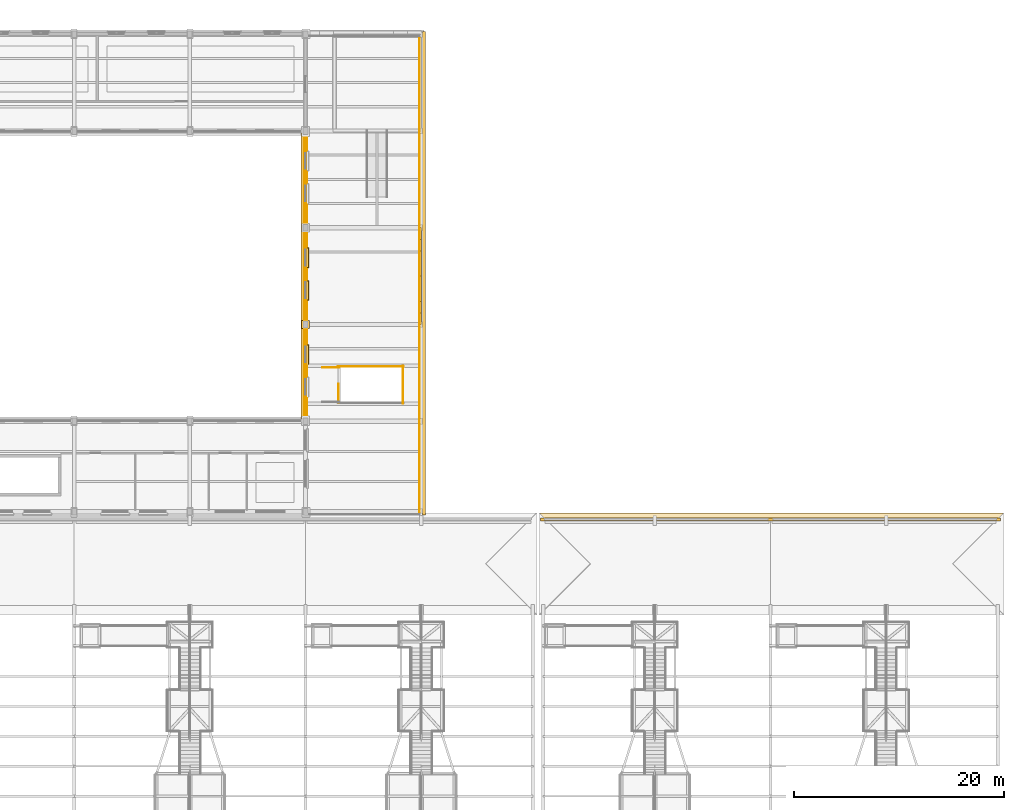
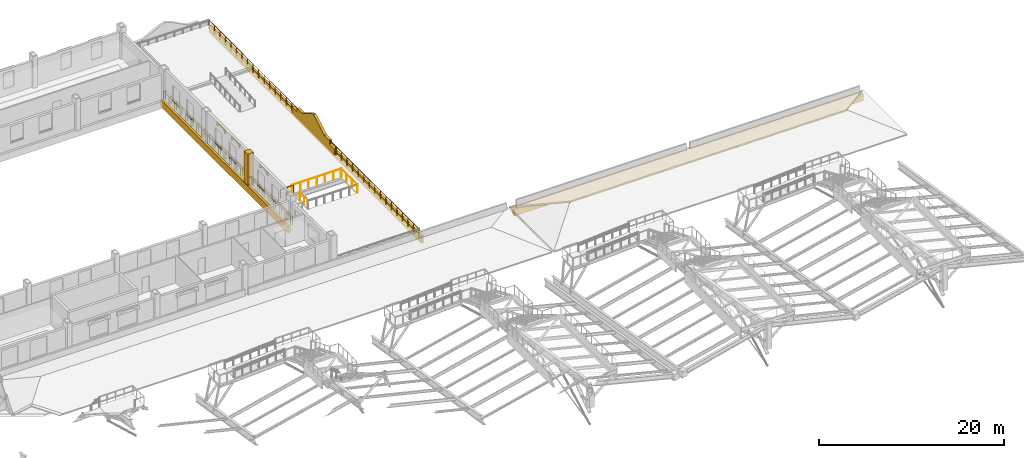
# One storey, part 40 of 43: 9 coverings, 7 railings.
"""IFC4 building model written with IfcOpenShell, lengths in metres."""

from ifc_helpers import new_model, si_unit, direction, frame, frame_2d, origin, origin_2d, place, context, subcontext, project, spatial, polyline, rectangle, circle, outline, extrude, material, layer, layer_set, type_object, element, save


model = new_model("IFC4")

# Units and contexts
model_context = context("Model", 3, precision=1e-05, world=origin(), true_north=direction((0.0, 1.0)))
body_context = subcontext(model_context, "Body", "Model", "MODEL_VIEW")
ifc_project = project(units=[si_unit("LENGTHUNIT", "METRE"), si_unit("AREAUNIT", "SQUARE_METRE"), si_unit("VOLUMEUNIT", "CUBIC_METRE"), si_unit("PLANEANGLEUNIT", "RADIAN"), si_unit("MASSUNIT", "GRAM", prefix="KILO")], contexts=[model_context])

# Site, building, storey
site_placement = place(None, origin())
site = spatial("IfcSite", under=ifc_project, at=site_placement, CompositionType="ELEMENT")
building_placement = place(site_placement, origin())
building = spatial("IfcBuilding", under=site, at=building_placement, Name="Caurita Quay Ferry Terminal", CompositionType="ELEMENT")
storey_placement = place(building_placement, frame((0.0, 0.0, 14.10009765625)))
storey = spatial("IfcBuildingStorey", under=building, at=storey_placement, Name="L03", CompositionType="ELEMENT", Elevation=14.10009765625)

# Coverings
ifc_material_1 = material(Name="Coral stone ashlar cladding", Category="masonry")
ifc_layer_1 = layer(ifc_material_1, 0.239990234375, Name="Classical coral-stone entablature and cornice moulding 240 mm")
ifc_layer_set_1 = layer_set([ifc_layer_1], Name="Coral stone ashlar cladding")
covering_type_1 = type_object("IfcCoveringType", Name="COV-ENT-MLD", PredefinedType="MOLDING", material=ifc_layer_set_1)
covering_1_placement = place(storey_placement, frame((77.260009765625, 71.300048828125, -0.85009765625), z_axis=(0.0, 0.0, 1.0), x_axis=(0.0, 1.0, 0.0)))
element("IfcCovering", 1, at=covering_1_placement, inside=storey, type_object=covering_type_1, Name="L03 Classical Entablature Cornice 013", PredefinedType="MOLDING", context=body_context, shape_type="SweptSolid", body=[
    extrude(rectangle(XDim=45.97998046875, YDim=0.280029296875, at=frame_2d((22.989990234375, 0.0))), origin(), (0.0, 0.0, 1.0), 0.929931640625),
])
covering_2_placement = place(storey_placement, frame((65.719970703125, 107.800048828125, -0.85009765625), z_axis=(0.0, 0.0, 1.0), x_axis=(0.0, -1.0, 0.0)))
element("IfcCovering", 2, at=covering_2_placement, inside=storey, type_object=covering_type_1, Name="L03 Classical Entablature Cornice 030", PredefinedType="MOLDING", context=body_context, shape_type="SweptSolid", body=[
    extrude(rectangle(XDim=27.60009765625, YDim=0.280029296875, at=frame_2d((13.800048828125, 0.0))), origin(), (0.0, 0.0, 1.0), 0.929931640625),
])
covering_3_placement = place(storey_placement, frame((132.050048828125, 70.860107421875, -0.85009765625), z_axis=(0.0, 0.0, 1.0), x_axis=(-1.0, 0.0, 0.0)))
element("IfcCovering", 3, at=covering_3_placement, inside=storey, type_object=covering_type_1, Name="L03 Classical Entablature Cornice 047", PredefinedType="MOLDING", context=body_context, shape_type="SweptSolid", body=[
    extrude(rectangle(XDim=43.699951171875, YDim=0.280029296875, at=frame_2d((21.85009765625, 0.0))), origin(), (0.0, 0.0, 1.0), 0.909912109375),
])
ifc_material_2 = material(Name="Warm-white lime stucco masonry", Category="masonry")
ifc_layer_2 = layer(ifc_material_2, 0.280029296875, Name="Shaped Spanish Colonial espadana mission parapet gable 280 mm")
ifc_layer_set_2 = layer_set([ifc_layer_2], Name="Warm-white lime stucco masonry")
covering_type_2 = type_object("IfcCoveringType", Name="COV-ESP-MLD", PredefinedType="MOLDING", material=ifc_layer_set_2)
covering_4_placement = place(storey_placement, frame((76.85009765625, 89.39990234375, -0.050048828125), z_axis=(0.0, 0.0, 1.0), x_axis=(0.0, 1.0, 0.0)))
element("IfcCovering", 4, at=covering_4_placement, inside=storey, type_object=covering_type_2, Name="Harbour Master East Espadana Gable 075", PredefinedType="MOLDING", context=body_context, shape_type="SweptSolid", body=[
    extrude(outline(polyline([(0.0, 0.0), (9.2001953125, 0.0), (9.2001953125, 0.849853515625), (8.09619140625, 0.849853515625), (8.09619140625, 1.329833984375), (6.9921875, 1.329833984375), (6.256103515625, 1.769775390625), (5.52001953125, 2.229736328125), (4.968017578125, 2.52978515625), (4.60009765625, 2.6298828125), (4.232177734375, 2.52978515625), (3.68017578125, 2.229736328125), (2.944091796875, 1.769775390625), (2.2080078125, 1.329833984375), (1.10400390625, 1.329833984375), (1.10400390625, 0.849853515625), (0.0, 0.849853515625), (0.0, 0.0)])), frame((0.0, 0.16015625, 0.0), z_axis=(0.0, -1.0, 0.0), x_axis=(1.0, 0.0, 0.0)), (0.0, 0.0, 1.0), 0.320068359375),
])
ifc_layer_3 = layer(ifc_material_2, 0.179931640625, Name="Classical engaged lime-stucco facade pilaster cladding 180 mm")
ifc_layer_set_3 = layer_set([ifc_layer_3], Name="Warm-white lime stucco masonry")
covering_type_3 = type_object("IfcCoveringType", Name="COV-PIL-CLD", PredefinedType="CLADDING", material=ifc_layer_set_3)
covering_5_placement = place(storey_placement, frame((66.0, 89.39990234375, 0.0), z_axis=(0.0, 0.0, 1.0), x_axis=(1.0, 0.0, 0.0)))
element("IfcCovering", 5, at=covering_5_placement, inside=storey, type_object=covering_type_3, Name="L03 Classical Engaged Pilaster 0375", PredefinedType="CLADDING", context=body_context, shape_type="SweptSolid", body=[
    extrude(rectangle(XDim=0.72998046875, YDim=0.77001953125, at=origin_2d()), origin(), (0.0, 0.0, 1.0), 4.199951171875),
])
ifc_material_3 = material(Name="Terracotta clay barrel tile", Category="masonry")
ifc_layer_4 = layer(ifc_material_3, 0.06494140625, Name="Terracotta clay barrel-tile roofing course")
ifc_layer_set_4 = layer_set([ifc_layer_4], Name="Terracotta clay barrel tile")
covering_type_4 = type_object("IfcCoveringType", Name="COV-TEJA-ROOF", PredefinedType="ROOFING", material=ifc_layer_set_4)
covering_6_placement = place(storey_placement, frame((132.39990234375, 71.5, -0.14013671875), z_axis=(0.0, 0.377954065566, 0.925824348525), x_axis=(-1.0, 0.0, 0.0)))
element("IfcCovering", 6, at=covering_6_placement, inside=storey, type_object=covering_type_4, Name="Terracotta Roof Timber Decking V2-SPN-N", PredefinedType="ROOFING", context=body_context, shape_type="SweptSolid", body=[
    extrude(outline(polyline([(0.0, 0.0), (44.199951171875, 0.0), (39.349853515625, 5.2386801707866475), (4.849853515625, 5.2386801707866475), (0.0, 0.0)])), origin(), (0.0, 0.0, -1.0), 0.054931640625),
])
ifc_layer_5 = layer(ifc_material_1, 0.139892578125, Name="Spanish Colonial semicircular arched window surround 140 mm")
ifc_layer_set_5 = layer_set([ifc_layer_5], Name="Coral stone ashlar cladding")
covering_type_5 = type_object("IfcCoveringType", Name="COV-WHD-MLD", PredefinedType="MOLDING", material=ifc_layer_set_5)
covering_7_placement = place(storey_placement, frame((66.215087890625, 85.6201171875, 3.179931640625), z_axis=(0.0, 0.0, 1.0), x_axis=(0.0, 1.0, 0.0)))
element("IfcCovering", 7, at=covering_7_placement, inside=storey, type_object=covering_type_5, Name="L03 Arched Window Surround 118", PredefinedType="MOLDING", context=body_context, shape_type="SweptSolid", body=[
    extrude(outline(polyline([(0.0, 0.0), (0.159912109375, 0.0), (0.159912109375, 0.0400390625), (0.19775390625, 0.1513671875), (0.30712890625, 0.251708984375), (0.477294921875, 0.331298828125), (0.69189453125, 0.38232421875), (0.929931640625, 0.39990234375), (1.16796875, 0.38232421875), (1.382568359375, 0.331298828125), (1.552734375, 0.251708984375), (1.662109375, 0.1513671875), (1.699951171875, 0.0400390625), (1.699951171875, 0.0), (1.85986328125, 0.0), (1.85986328125, 0.47998046875), (0.0, 0.47998046875), (0.0, 0.0)])), frame((0.0, 0.06982421875, 0.0), z_axis=(0.0, -1.0, 0.0), x_axis=(1.0, 0.0, 0.0)), (0.0, 0.0, 1.0), 0.139892578125),
])
covering_8_placement = place(storey_placement, frame((66.215087890625, 91.719970703125, 3.179931640625), z_axis=(0.0, 0.0, 1.0), x_axis=(0.0, 1.0, 0.0)))
element("IfcCovering", 8, at=covering_8_placement, inside=storey, type_object=covering_type_5, Name="L03 Arched Window Surround 119", PredefinedType="MOLDING", context=body_context, shape_type="SweptSolid", body=[
    extrude(outline(polyline([(0.0, 0.0), (0.159912109375, 0.0), (0.159912109375, 0.0400390625), (0.19775390625, 0.1513671875), (0.30712890625, 0.251708984375), (0.4775390625, 0.331298828125), (0.692138671875, 0.38232421875), (0.929931640625, 0.39990234375), (1.16796875, 0.38232421875), (1.382568359375, 0.331298828125), (1.552978515625, 0.251708984375), (1.662353515625, 0.1513671875), (1.7001953125, 0.0400390625), (1.7001953125, 0.0), (1.860107421875, 0.0), (1.860107421875, 0.47998046875), (0.0, 0.47998046875), (0.0, 0.0)])), frame((0.0, 0.06982421875, 0.0), z_axis=(0.0, -1.0, 0.0), x_axis=(1.0, 0.0, 0.0)), (0.0, 0.0, 1.0), 0.139892578125),
])
covering_9_placement = place(storey_placement, frame((66.215087890625, 94.820068359375, 3.179931640625), z_axis=(0.0, 0.0, 1.0), x_axis=(0.0, 1.0, 0.0)))
element("IfcCovering", 9, at=covering_9_placement, inside=storey, type_object=covering_type_5, Name="L03 Arched Window Surround 120", PredefinedType="MOLDING", context=body_context, shape_type="SweptSolid", body=[
    extrude(outline(polyline([(0.0, 0.0), (0.159912109375, 0.0), (0.159912109375, 0.0400390625), (0.19775390625, 0.1513671875), (0.30712890625, 0.251708984375), (0.477294921875, 0.331298828125), (0.69189453125, 0.38232421875), (0.929931640625, 0.39990234375), (1.16796875, 0.38232421875), (1.382568359375, 0.331298828125), (1.552734375, 0.251708984375), (1.662109375, 0.1513671875), (1.699951171875, 0.0400390625), (1.699951171875, 0.0), (1.85986328125, 0.0), (1.85986328125, 0.47998046875), (0.0, 0.47998046875), (0.0, 0.0)])), frame((0.0, 0.06982421875, 0.0), z_axis=(0.0, -1.0, 0.0), x_axis=(1.0, 0.0, 0.0)), (0.0, 0.0, 1.0), 0.139892578125),
])

# Railings
ifc_material_4 = material(Name="Bronze architectural metalwork", Category="metal")
railing_type = type_object("IfcRailingType", Name="RL-REJA-115", PredefinedType="BALUSTRADE", material=ifc_material_4)
railing_1_placement = place(storey_placement, frame((76.85009765625, 71.35009765625, 0.0)))
element("IfcRailing", 10, at=railing_1_placement, inside=storey, type_object=railing_type, Name="L03 Harbour Master Terrace Balustrade (069)", PredefinedType="BALUSTRADE", context=body_context, shape_type="SweptSolid", body=[
    extrude(circle(Radius=0.02392578125, at=origin_2d()), frame((0.0, 0.0, 1.1259765625), z_axis=(0.0, 1.0, 0.0), x_axis=(-1.0, 0.0, 0.0)), (0.0, 0.0, 1.0), 45.5),
    extrude(circle(Radius=0.02099609375, at=origin_2d()), origin(), (0.0, 0.0, 1.0), 1.101806640625),
    extrude(circle(Radius=0.02099609375, at=origin_2d()), frame((0.0, 1.197265625, 0.0)), (0.0, 0.0, 1.0), 1.101806640625),
    extrude(circle(Radius=0.02099609375, at=origin_2d()), frame((0.0, 2.394775390625, 0.0)), (0.0, 0.0, 1.0), 1.101806640625),
    extrude(circle(Radius=0.02099609375, at=origin_2d()), frame((0.0, 3.592041015625, 0.0)), (0.0, 0.0, 1.0), 1.101806640625),
    extrude(circle(Radius=0.02099609375, at=origin_2d()), frame((0.0, 4.78955078125, 0.0)), (0.0, 0.0, 1.0), 1.101806640625),
    extrude(circle(Radius=0.02099609375, at=origin_2d()), frame((0.0, 5.98681640625, 0.0)), (0.0, 0.0, 1.0), 1.101806640625),
    extrude(circle(Radius=0.02099609375, at=origin_2d()), frame((0.0, 7.184326171875, 0.0)), (0.0, 0.0, 1.0), 1.101806640625),
    extrude(circle(Radius=0.02099609375, at=origin_2d()), frame((0.0, 8.381591796875, 0.0)), (0.0, 0.0, 1.0), 1.101806640625),
    extrude(circle(Radius=0.02099609375, at=origin_2d()), frame((0.0, 9.578857421875, 0.0)), (0.0, 0.0, 1.0), 1.101806640625),
    extrude(circle(Radius=0.02099609375, at=origin_2d()), frame((0.0, 10.7763671875, 0.0)), (0.0, 0.0, 1.0), 1.101806640625),
    extrude(circle(Radius=0.02099609375, at=origin_2d()), frame((0.0, 11.9736328125, 0.0)), (0.0, 0.0, 1.0), 1.101806640625),
    extrude(circle(Radius=0.02099609375, at=origin_2d()), frame((0.0, 13.171142578125, 0.0)), (0.0, 0.0, 1.0), 1.101806640625),
    extrude(circle(Radius=0.02099609375, at=origin_2d()), frame((0.0, 14.368408203125, 0.0)), (0.0, 0.0, 1.0), 1.101806640625),
    extrude(circle(Radius=0.02099609375, at=origin_2d()), frame((0.0, 15.565673828125, 0.0)), (0.0, 0.0, 1.0), 1.101806640625),
    extrude(circle(Radius=0.02099609375, at=origin_2d()), frame((0.0, 16.76318359375, 0.0)), (0.0, 0.0, 1.0), 1.101806640625),
    extrude(circle(Radius=0.02099609375, at=origin_2d()), frame((0.0, 17.96044921875, 0.0)), (0.0, 0.0, 1.0), 1.101806640625),
    extrude(circle(Radius=0.02099609375, at=origin_2d()), frame((0.0, 19.157958984375, 0.0)), (0.0, 0.0, 1.0), 1.101806640625),
    extrude(circle(Radius=0.02099609375, at=origin_2d()), frame((0.0, 20.355224609375, 0.0)), (0.0, 0.0, 1.0), 1.101806640625),
    extrude(circle(Radius=0.02099609375, at=origin_2d()), frame((0.0, 21.552734375, 0.0)), (0.0, 0.0, 1.0), 1.101806640625),
    extrude(circle(Radius=0.02099609375, at=origin_2d()), frame((0.0, 22.75, 0.0)), (0.0, 0.0, 1.0), 1.101806640625),
    extrude(circle(Radius=0.02099609375, at=origin_2d()), frame((0.0, 23.947265625, 0.0)), (0.0, 0.0, 1.0), 1.101806640625),
    extrude(circle(Radius=0.02099609375, at=origin_2d()), frame((0.0, 25.144775390625, 0.0)), (0.0, 0.0, 1.0), 1.101806640625),
    extrude(circle(Radius=0.02099609375, at=origin_2d()), frame((0.0, 26.342041015625, 0.0)), (0.0, 0.0, 1.0), 1.101806640625),
    extrude(circle(Radius=0.02099609375, at=origin_2d()), frame((0.0, 27.53955078125, 0.0)), (0.0, 0.0, 1.0), 1.101806640625),
    extrude(circle(Radius=0.02099609375, at=origin_2d()), frame((0.0, 28.73681640625, 0.0)), (0.0, 0.0, 1.0), 1.101806640625),
    extrude(circle(Radius=0.02099609375, at=origin_2d()), frame((0.0, 29.934326171875, 0.0)), (0.0, 0.0, 1.0), 1.101806640625),
    extrude(circle(Radius=0.02099609375, at=origin_2d()), frame((0.0, 31.131591796875, 0.0)), (0.0, 0.0, 1.0), 1.101806640625),
    extrude(circle(Radius=0.02099609375, at=origin_2d()), frame((0.0, 32.328857421875, 0.0)), (0.0, 0.0, 1.0), 1.101806640625),
    extrude(circle(Radius=0.02099609375, at=origin_2d()), frame((0.0, 33.5263671875, 0.0)), (0.0, 0.0, 1.0), 1.101806640625),
    extrude(circle(Radius=0.02099609375, at=origin_2d()), frame((0.0, 34.7236328125, 0.0)), (0.0, 0.0, 1.0), 1.101806640625),
    extrude(circle(Radius=0.02099609375, at=origin_2d()), frame((0.0, 35.921142578125, 0.0)), (0.0, 0.0, 1.0), 1.101806640625),
    extrude(circle(Radius=0.02099609375, at=origin_2d()), frame((0.0, 37.118408203125, 0.0)), (0.0, 0.0, 1.0), 1.101806640625),
    extrude(circle(Radius=0.02099609375, at=origin_2d()), frame((0.0, 38.315673828125, 0.0)), (0.0, 0.0, 1.0), 1.101806640625),
    extrude(circle(Radius=0.02099609375, at=origin_2d()), frame((0.0, 39.51318359375, 0.0)), (0.0, 0.0, 1.0), 1.101806640625),
    extrude(circle(Radius=0.02099609375, at=origin_2d()), frame((0.0, 40.71044921875, 0.0)), (0.0, 0.0, 1.0), 1.101806640625),
    extrude(circle(Radius=0.02099609375, at=origin_2d()), frame((0.0, 41.907958984375, 0.0)), (0.0, 0.0, 1.0), 1.101806640625),
    extrude(circle(Radius=0.02099609375, at=origin_2d()), frame((0.0, 43.105224609375, 0.0)), (0.0, 0.0, 1.0), 1.101806640625),
    extrude(circle(Radius=0.02099609375, at=origin_2d()), frame((0.0, 44.302734375, 0.0)), (0.0, 0.0, 1.0), 1.101806640625),
    extrude(circle(Radius=0.02099609375, at=origin_2d()), frame((0.0, 45.5, 0.0)), (0.0, 0.0, 1.0), 1.101806640625),
])
railing_2_placement = place(storey_placement, frame((66.14990234375, 80.25, 0.0)))
element("IfcRailing", 11, at=railing_2_placement, inside=storey, type_object=railing_type, Name="L03 Harbour Master Courtyard Edge Balustrade (071)", PredefinedType="BALUSTRADE", context=body_context, shape_type="SweptSolid", body=[
    extrude(circle(Radius=0.02392578125, at=origin_2d()), frame((0.0, 0.0, 1.1259765625), z_axis=(0.0, 1.0, 0.0), x_axis=(-1.0, 0.0, 0.0)), (0.0, 0.0, 1.0), 27.5),
    extrude(circle(Radius=0.02099609375, at=origin_2d()), origin(), (0.0, 0.0, 1.0), 1.101806640625),
    extrude(circle(Radius=0.02099609375, at=origin_2d()), frame((0.0, 1.195556640625, 0.0)), (0.0, 0.0, 1.0), 1.101806640625),
    extrude(circle(Radius=0.02099609375, at=origin_2d()), frame((0.0, 2.391357421875, 0.0)), (0.0, 0.0, 1.0), 1.101806640625),
    extrude(circle(Radius=0.02099609375, at=origin_2d()), frame((0.0, 3.5869140625, 0.0)), (0.0, 0.0, 1.0), 1.101806640625),
    extrude(circle(Radius=0.02099609375, at=origin_2d()), frame((0.0, 4.78271484375, 0.0)), (0.0, 0.0, 1.0), 1.101806640625),
    extrude(circle(Radius=0.02099609375, at=origin_2d()), frame((0.0, 5.978271484375, 0.0)), (0.0, 0.0, 1.0), 1.101806640625),
    extrude(circle(Radius=0.02099609375, at=origin_2d()), frame((0.0, 7.173828125, 0.0)), (0.0, 0.0, 1.0), 1.101806640625),
    extrude(circle(Radius=0.02099609375, at=origin_2d()), frame((0.0, 8.36962890625, 0.0)), (0.0, 0.0, 1.0), 1.101806640625),
    extrude(circle(Radius=0.02099609375, at=origin_2d()), frame((0.0, 9.565185546875, 0.0)), (0.0, 0.0, 1.0), 1.101806640625),
    extrude(circle(Radius=0.02099609375, at=origin_2d()), frame((0.0, 10.760986328125, 0.0)), (0.0, 0.0, 1.0), 1.101806640625),
    extrude(circle(Radius=0.02099609375, at=origin_2d()), frame((0.0, 11.95654296875, 0.0)), (0.0, 0.0, 1.0), 1.101806640625),
    extrude(circle(Radius=0.02099609375, at=origin_2d()), frame((0.0, 13.152099609375, 0.0)), (0.0, 0.0, 1.0), 1.101806640625),
    extrude(circle(Radius=0.02099609375, at=origin_2d()), frame((0.0, 14.347900390625, 0.0)), (0.0, 0.0, 1.0), 1.101806640625),
    extrude(circle(Radius=0.02099609375, at=origin_2d()), frame((0.0, 15.54345703125, 0.0)), (0.0, 0.0, 1.0), 1.101806640625),
    extrude(circle(Radius=0.02099609375, at=origin_2d()), frame((0.0, 16.739013671875, 0.0)), (0.0, 0.0, 1.0), 1.101806640625),
    extrude(circle(Radius=0.02099609375, at=origin_2d()), frame((0.0, 17.934814453125, 0.0)), (0.0, 0.0, 1.0), 1.101806640625),
    extrude(circle(Radius=0.02099609375, at=origin_2d()), frame((0.0, 19.13037109375, 0.0)), (0.0, 0.0, 1.0), 1.101806640625),
    extrude(circle(Radius=0.02099609375, at=origin_2d()), frame((0.0, 20.326171875, 0.0)), (0.0, 0.0, 1.0), 1.101806640625),
    extrude(circle(Radius=0.02099609375, at=origin_2d()), frame((0.0, 21.521728515625, 0.0)), (0.0, 0.0, 1.0), 1.101806640625),
    extrude(circle(Radius=0.02099609375, at=origin_2d()), frame((0.0, 22.71728515625, 0.0)), (0.0, 0.0, 1.0), 1.101806640625),
    extrude(circle(Radius=0.02099609375, at=origin_2d()), frame((0.0, 23.9130859375, 0.0)), (0.0, 0.0, 1.0), 1.101806640625),
    extrude(circle(Radius=0.02099609375, at=origin_2d()), frame((0.0, 25.108642578125, 0.0)), (0.0, 0.0, 1.0), 1.101806640625),
    extrude(circle(Radius=0.02099609375, at=origin_2d()), frame((0.0, 26.304443359375, 0.0)), (0.0, 0.0, 1.0), 1.101806640625),
    extrude(circle(Radius=0.02099609375, at=origin_2d()), frame((0.0, 27.5, 0.0)), (0.0, 0.0, 1.0), 1.101806640625),
])
railing_3_placement = place(storey_placement, frame((65.89990234375, 80.25, 0.0)))
element("IfcRailing", 12, at=railing_3_placement, inside=storey, type_object=railing_type, Name="L03 Courtyard Cloister Guard (091)", PredefinedType="BALUSTRADE", context=body_context, shape_type="SweptSolid", body=[
    extrude(circle(Radius=0.02392578125, at=origin_2d()), frame((0.0, 0.0, 1.1259765625), z_axis=(0.0, 1.0, 0.0), x_axis=(-1.0, 0.0, 0.0)), (0.0, 0.0, 1.0), 27.5),
    extrude(circle(Radius=0.02099609375, at=origin_2d()), origin(), (0.0, 0.0, 1.0), 1.101806640625),
    extrude(circle(Radius=0.02099609375, at=origin_2d()), frame((0.0, 1.195556640625, 0.0)), (0.0, 0.0, 1.0), 1.101806640625),
    extrude(circle(Radius=0.02099609375, at=origin_2d()), frame((0.0, 2.391357421875, 0.0)), (0.0, 0.0, 1.0), 1.101806640625),
    extrude(circle(Radius=0.02099609375, at=origin_2d()), frame((0.0, 3.5869140625, 0.0)), (0.0, 0.0, 1.0), 1.101806640625),
    extrude(circle(Radius=0.02099609375, at=origin_2d()), frame((0.0, 4.78271484375, 0.0)), (0.0, 0.0, 1.0), 1.101806640625),
    extrude(circle(Radius=0.02099609375, at=origin_2d()), frame((0.0, 5.978271484375, 0.0)), (0.0, 0.0, 1.0), 1.101806640625),
    extrude(circle(Radius=0.02099609375, at=origin_2d()), frame((0.0, 7.173828125, 0.0)), (0.0, 0.0, 1.0), 1.101806640625),
    extrude(circle(Radius=0.02099609375, at=origin_2d()), frame((0.0, 8.36962890625, 0.0)), (0.0, 0.0, 1.0), 1.101806640625),
    extrude(circle(Radius=0.02099609375, at=origin_2d()), frame((0.0, 9.565185546875, 0.0)), (0.0, 0.0, 1.0), 1.101806640625),
    extrude(circle(Radius=0.02099609375, at=origin_2d()), frame((0.0, 10.760986328125, 0.0)), (0.0, 0.0, 1.0), 1.101806640625),
    extrude(circle(Radius=0.02099609375, at=origin_2d()), frame((0.0, 11.95654296875, 0.0)), (0.0, 0.0, 1.0), 1.101806640625),
    extrude(circle(Radius=0.02099609375, at=origin_2d()), frame((0.0, 13.152099609375, 0.0)), (0.0, 0.0, 1.0), 1.101806640625),
    extrude(circle(Radius=0.02099609375, at=origin_2d()), frame((0.0, 14.347900390625, 0.0)), (0.0, 0.0, 1.0), 1.101806640625),
    extrude(circle(Radius=0.02099609375, at=origin_2d()), frame((0.0, 15.54345703125, 0.0)), (0.0, 0.0, 1.0), 1.101806640625),
    extrude(circle(Radius=0.02099609375, at=origin_2d()), frame((0.0, 16.739013671875, 0.0)), (0.0, 0.0, 1.0), 1.101806640625),
    extrude(circle(Radius=0.02099609375, at=origin_2d()), frame((0.0, 17.934814453125, 0.0)), (0.0, 0.0, 1.0), 1.101806640625),
    extrude(circle(Radius=0.02099609375, at=origin_2d()), frame((0.0, 19.13037109375, 0.0)), (0.0, 0.0, 1.0), 1.101806640625),
    extrude(circle(Radius=0.02099609375, at=origin_2d()), frame((0.0, 20.326171875, 0.0)), (0.0, 0.0, 1.0), 1.101806640625),
    extrude(circle(Radius=0.02099609375, at=origin_2d()), frame((0.0, 21.521728515625, 0.0)), (0.0, 0.0, 1.0), 1.101806640625),
    extrude(circle(Radius=0.02099609375, at=origin_2d()), frame((0.0, 22.71728515625, 0.0)), (0.0, 0.0, 1.0), 1.101806640625),
    extrude(circle(Radius=0.02099609375, at=origin_2d()), frame((0.0, 23.9130859375, 0.0)), (0.0, 0.0, 1.0), 1.101806640625),
    extrude(circle(Radius=0.02099609375, at=origin_2d()), frame((0.0, 25.108642578125, 0.0)), (0.0, 0.0, 1.0), 1.101806640625),
    extrude(circle(Radius=0.02099609375, at=origin_2d()), frame((0.0, 26.304443359375, 0.0)), (0.0, 0.0, 1.0), 1.101806640625),
    extrude(circle(Radius=0.02099609375, at=origin_2d()), frame((0.0, 27.5, 0.0)), (0.0, 0.0, 1.0), 1.101806640625),
])
railing_4_placement = place(storey_placement, frame((69.14990234375, 82.0, 0.0)))
element("IfcRailing", 13, at=railing_4_placement, inside=storey, type_object=railing_type, Name="L03 ST-14 top well guard 1", PredefinedType="BALUSTRADE", context=body_context, shape_type="SweptSolid", body=[
    extrude(circle(Radius=0.02392578125, at=origin_2d()), frame((0.0, 0.0, 1.1259765625), z_axis=(0.0, 1.0, 0.0), x_axis=(-1.0, 0.0, 0.0)), (0.0, 0.0, 1.0), 1.760009765625),
    extrude(circle(Radius=0.02099609375, at=origin_2d()), origin(), (0.0, 0.0, 1.0), 1.101806640625),
    extrude(circle(Radius=0.02099609375, at=origin_2d()), frame((0.0, 0.8798828125, 0.0)), (0.0, 0.0, 1.0), 1.101806640625),
    extrude(circle(Radius=0.02099609375, at=origin_2d()), frame((0.0, 1.760009765625, 0.0)), (0.0, 0.0, 1.0), 1.101806640625),
])
railing_5_placement = place(storey_placement, frame((69.10009765625, 85.409912109375, 0.0)))
element("IfcRailing", 14, at=railing_5_placement, inside=storey, type_object=railing_type, Name="L03 ST-14 top well guard 3", PredefinedType="BALUSTRADE", context=body_context, shape_type="SweptSolid", body=[
    extrude(circle(Radius=0.02392578125, at=origin_2d()), frame((0.0, 0.0, 1.1259765625), z_axis=(1.0, 0.0, 0.0), x_axis=(0.0, 1.0, 0.0)), (0.0, 0.0, 1.0), 6.199951171875),
    extrude(circle(Radius=0.02099609375, at=origin_2d()), origin(), (0.0, 0.0, 1.0), 1.101806640625),
    extrude(circle(Radius=0.02099609375, at=origin_2d()), frame((1.033203125, 0.0, 0.0)), (0.0, 0.0, 1.0), 1.101806640625),
    extrude(circle(Radius=0.02099609375, at=origin_2d()), frame((2.066650390625, 0.0, 0.0)), (0.0, 0.0, 1.0), 1.101806640625),
    extrude(circle(Radius=0.02099609375, at=origin_2d()), frame((3.10009765625, 0.0, 0.0)), (0.0, 0.0, 1.0), 1.101806640625),
    extrude(circle(Radius=0.02099609375, at=origin_2d()), frame((4.13330078125, 0.0, 0.0)), (0.0, 0.0, 1.0), 1.101806640625),
    extrude(circle(Radius=0.02099609375, at=origin_2d()), frame((5.16650390625, 0.0, 0.0)), (0.0, 0.0, 1.0), 1.101806640625),
    extrude(circle(Radius=0.02099609375, at=origin_2d()), frame((6.199951171875, 0.0, 0.0)), (0.0, 0.0, 1.0), 1.101806640625),
])
railing_6_placement = place(storey_placement, frame((75.25, 81.89990234375, 0.0)))
element("IfcRailing", 15, at=railing_6_placement, inside=storey, type_object=railing_type, Name="L03 ST-14 top well guard 4", PredefinedType="BALUSTRADE", context=body_context, shape_type="SweptSolid", body=[
    extrude(circle(Radius=0.02392578125, at=origin_2d()), frame((0.0, 0.0, 1.1259765625), z_axis=(0.0, 1.0, 0.0), x_axis=(-1.0, 0.0, 0.0)), (0.0, 0.0, 1.0), 3.56005859375),
    extrude(circle(Radius=0.02099609375, at=origin_2d()), origin(), (0.0, 0.0, 1.0), 1.101806640625),
    extrude(circle(Radius=0.02099609375, at=origin_2d()), frame((0.0, 1.186767578125, 0.0)), (0.0, 0.0, 1.0), 1.101806640625),
    extrude(circle(Radius=0.02099609375, at=origin_2d()), frame((0.0, 2.373291015625, 0.0)), (0.0, 0.0, 1.0), 1.101806640625),
    extrude(circle(Radius=0.02099609375, at=origin_2d()), frame((0.0, 3.56005859375, 0.0)), (0.0, 0.0, 1.0), 1.101806640625),
])
railing_7_placement = place(storey_placement, frame((67.60009765625, 85.31005859375, 0.0)))
element("IfcRailing", 16, at=railing_7_placement, inside=storey, type_object=railing_type, Name="L03 ST-14 top well guard 6", PredefinedType="BALUSTRADE", context=body_context, shape_type="SweptSolid", body=[
    extrude(circle(Radius=0.02392578125, at=origin_2d()), frame((0.0, 0.0, 1.1259765625), z_axis=(1.0, 0.0, 0.0), x_axis=(0.0, 1.0, 0.0)), (0.0, 0.0, 1.0), 1.599853515625),
    extrude(circle(Radius=0.02099609375, at=origin_2d()), origin(), (0.0, 0.0, 1.0), 1.101806640625),
    extrude(circle(Radius=0.02099609375, at=origin_2d()), frame((0.7998046875, 0.0, 0.0)), (0.0, 0.0, 1.0), 1.101806640625),
    extrude(circle(Radius=0.02099609375, at=origin_2d()), frame((1.599853515625, 0.0, 0.0)), (0.0, 0.0, 1.0), 1.101806640625),
])

save(model, "model.ifc")
